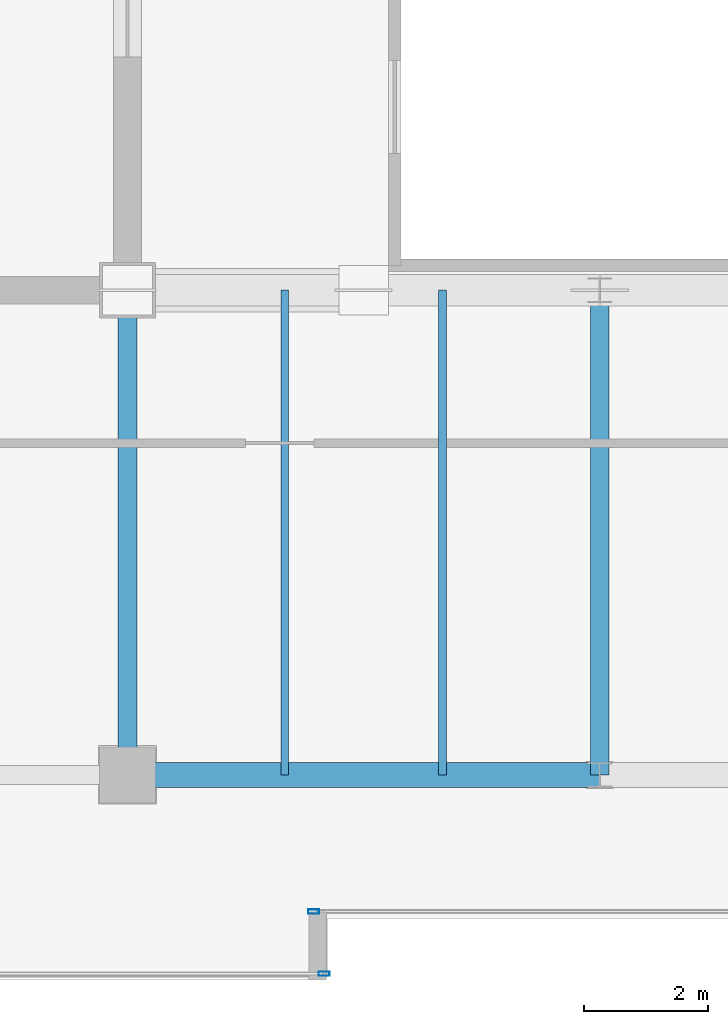
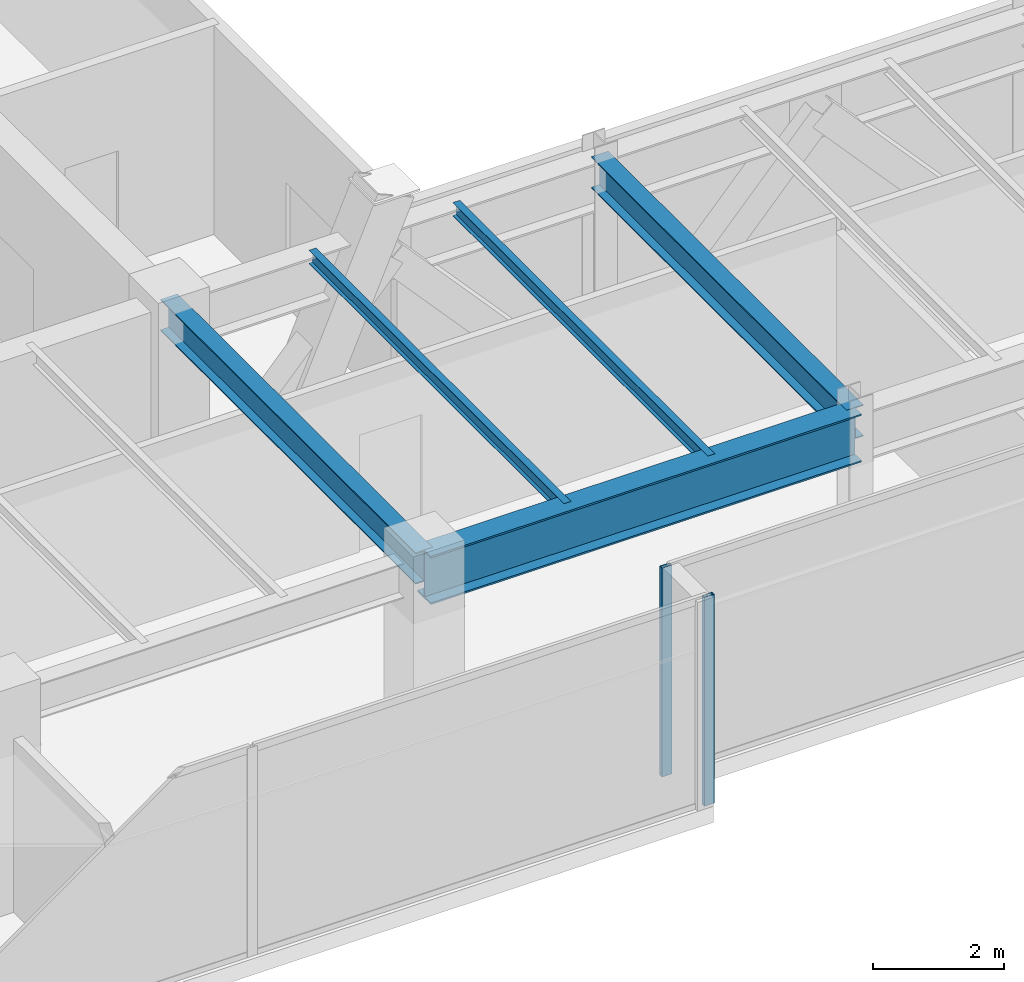
# One storey, part 6 of 32: 5 beams, 2 members, 2 elements without a shape of their own.
"""IFC4 building model written with IfcOpenShell, lengths in metres."""

from ifc_helpers import new_model, si_unit, direction, frame, origin, origin_2d, place, context, subcontext, project, spatial, hollow_rectangle, i_section, extrude, source, transform, mapped, material, layer, layer_set, material_profile, profile_set, type_object, type_shapes, element, aggregate, save


model = new_model("IFC4")

# Units and contexts
model_context = context("Model", 3, precision=1e-05, world=origin(), true_north=direction((0.0, 1.0)))
body_context = subcontext(model_context, "Body", "Model", "MODEL_VIEW")
ifc_project = project(units=[si_unit("LENGTHUNIT", "METRE"), si_unit("AREAUNIT", "SQUARE_METRE"), si_unit("VOLUMEUNIT", "CUBIC_METRE"), si_unit("PLANEANGLEUNIT", "RADIAN"), si_unit("MASSUNIT", "GRAM", prefix="KILO")], contexts=[model_context])

# Site, building, storey
site_placement = place(None, origin())
site = spatial("IfcSite", under=ifc_project, at=site_placement, CompositionType="ELEMENT")
building_placement = place(site_placement, origin())
building = spatial("IfcBuilding", under=site, at=building_placement, Name="Haelvirn Gate Laboratories", CompositionType="ELEMENT")
storey_placement = place(building_placement, frame((0.0, 0.0, 301.800048828125)))
storey = spatial("IfcBuildingStorey", under=building, at=storey_placement, Name="L72", CompositionType="ELEMENT", Elevation=301.800048828125)

# Beams
ifc_material_1 = material(Name="Steel SM420", Category="steel")
ifc_material_profile_1 = material_profile(ifc_material_1, i_section(OverallWidth=0.39990234375, OverallDepth=0.89990234375, WebThickness=0.01904296875, FlangeThickness=0.031982421875, at=origin_2d()), Name="H-900x400x19x32")
ifc_profile_set_1 = profile_set([ifc_material_profile_1], Name="Steel SM420")
beam_type_1 = type_object("IfcBeamType", Name="BM-TG-900", PredefinedType="BEAM", material=ifc_profile_set_1)
shared_shape_1 = source(origin(), body_context, "Body", "SweptSolid", [
    extrude(i_section(OverallWidth=0.39990234375, OverallDepth=0.89990234375, WebThickness=0.01904296875, FlangeThickness=0.031982421875, at=origin_2d()), origin(), (0.0, 0.0, 1.0), 7.60009765625),
])
type_shapes(beam_type_1, [shared_shape_1])
beam_placement = place(storey_placement, frame((22.199951171875, 7.0, 3.449951171875), z_axis=(1.0, 0.0, 0.0), x_axis=(0.0, 1.0, 0.0)))
element("IfcBeam", 1, at=beam_placement, inside=storey, type_object=beam_type_1, Name="L72 Primary Girder Y7.0 (22.2-29.8)", PredefinedType="BEAM", context=body_context, shape_type="MappedRepresentation", body=[
    mapped(shared_shape_1, transform((0.0, 0.0, 0.0), scale=1.0)),
])
ifc_material_2 = material(Name="Steel SM355", Category="steel")
ifc_material_profile_2 = material_profile(ifc_material_2, i_section(OverallWidth=0.300048828125, OverallDepth=0.587890625, WebThickness=0.011962890625, FlangeThickness=0.02001953125, at=origin_2d()), Name="H-588x300x12x20")
ifc_profile_set_2 = profile_set([ifc_material_profile_2], Name="Steel SM355")
beam_type_2 = type_object("IfcBeamType", Name="BM-G-588", PredefinedType="BEAM", material=ifc_profile_set_2)
shared_shape_2 = source(origin(), body_context, "Body", "SweptSolid", [
    extrude(i_section(OverallWidth=0.300048828125, OverallDepth=0.587890625, WebThickness=0.011962890625, FlangeThickness=0.02001953125, at=origin_2d()), origin(), (0.0, 0.0, 1.0), 7.800048828125),
])
type_shapes(beam_type_2, [shared_shape_2])
for number, where, z_axis, x_axis, name in (
    (2, (22.199951171875, 7.0, 3.60595703125), (0.0, 1.0, 0.0), (-1.0, 0.0, 0.0), "L72 Frame Girder X22.2 (7.0-14.8)"),
    (3, (29.800048828125, 7.0, 3.60595703125), (0.0, 1.0, 0.0), (-1.0, 0.0, 0.0), "L72 Frame Girder X29.8 (7.0-14.8)"),
):
    element("IfcBeam", number, at=place(storey_placement, frame(where, z_axis=z_axis, x_axis=x_axis)), inside=storey, type_object=beam_type_2, Name=name, PredefinedType="BEAM", context=body_context, shape_type="MappedRepresentation", body=[
        mapped(shared_shape_2, transform((0.0, 0.0, 0.0), scale=1.0)),
    ])
ifc_material_profile_3 = material_profile(ifc_material_2, i_section(OverallWidth=0.125, OverallDepth=0.25, WebThickness=0.006103515625, FlangeThickness=0.009033203125, at=origin_2d()), Name="H-250x125x6x9")
ifc_profile_set_3 = profile_set([ifc_material_profile_3], Name="Steel SM355")
beam_type_3 = type_object("IfcBeamType", Name="BM-J-250", PredefinedType="JOIST", material=ifc_profile_set_3)
shared_shape_3 = source(origin(), body_context, "Body", "SweptSolid", [
    extrude(i_section(OverallWidth=0.125, OverallDepth=0.25, WebThickness=0.006103515625, FlangeThickness=0.009033203125, at=origin_2d()), origin(), (0.0, 0.0, 1.0), 7.800048828125),
])
type_shapes(beam_type_3, [shared_shape_3])
for number, where, z_axis, x_axis, name in (
    (4, (24.72998046875, 7.0, 3.77490234375), (0.0, 1.0, 0.0), (-1.0, 0.0, 0.0), "L72 Composite Lab Joist South X24.73"),
    (5, (27.27001953125, 7.0, 3.77490234375), (0.0, 1.0, 0.0), (-1.0, 0.0, 0.0), "L72 Composite Lab Joist South X27.27"),
):
    element("IfcBeam", number, at=place(storey_placement, frame(where, z_axis=z_axis, x_axis=x_axis)), inside=storey, type_object=beam_type_3, Name=name, PredefinedType="JOIST", context=body_context, shape_type="MappedRepresentation", body=[
        mapped(shared_shape_3, transform((0.0, 0.0, 0.0), scale=1.0)),
    ])

# Curtain wall, member
ifc_material_3 = material(Name="Anodised bronze unitised aluminium & triple low-E glass", Category="aluminium")
ifc_layer = layer(ifc_material_3, 0.176025390625, Name="CW-SYS-4")
ifc_layer_set = layer_set([ifc_layer], Name="Anodised bronze unitised aluminium & triple low-E glass")
curtain_wall_type = type_object("IfcCurtainWallType", Name="CW-SYS-4", PredefinedType="NOTDEFINED", material=ifc_layer_set)
curtain_wall_1_placement = place(storey_placement, origin())
curtain_wall_1 = element("IfcCurtainWall", 6, at=curtain_wall_1_placement, inside=storey, type_object=curtain_wall_type, Name="L72 Unitised Curtain Wall CW-L72-P0-E00-1", PredefinedType="NOTDEFINED")
ifc_material_4 = material(Name="Extruded aluminium 6063-T6 (anodised bronze)", Category="aluminium")
ifc_material_profile_4 = material_profile(ifc_material_4, hollow_rectangle(XDim=0.070068359375, YDim=0.179931640625, WallThickness=0.0048828125, at=origin_2d()), Name="CWM-180x70x5")
ifc_profile_set_4 = profile_set([ifc_material_profile_4], Name="Extruded aluminium 6063-T6 (anodised bronze)")
member_type = type_object("IfcMemberType", Name="CWM-T180", PredefinedType="MULLION", material=ifc_profile_set_4)
shared_shape_4 = source(origin(), body_context, "Body", "SweptSolid", [
    extrude(hollow_rectangle(XDim=0.070068359375, YDim=0.179931640625, WallThickness=0.0048828125, at=origin_2d()), origin(), (0.0, 0.0, 1.0), 3.89990234375),
])
type_shapes(member_type, [shared_shape_4])
member_1_placement = place(storey_placement, frame((25.364990234375, 3.800048828125, 0.0), z_axis=(0.0, 0.0, 1.0), x_axis=(0.0, 1.0, 0.0)))
member_1 = element("IfcMember", 7, at=member_1_placement, type_object=member_type, Name="CW4 mullion 3", PredefinedType="MULLION", context=body_context, shape_type="MappedRepresentation", body=[
    mapped(shared_shape_4, transform((0.0, 0.0, 0.0), scale=1.0)),
])
aggregate(curtain_wall_1, [member_1])

curtain_wall_2_placement = place(storey_placement, origin())
curtain_wall_2 = element("IfcCurtainWall", 8, at=curtain_wall_2_placement, inside=storey, type_object=curtain_wall_type, Name="L72 Unitised Curtain Wall CW-L72-P0-E02-1", PredefinedType="NOTDEFINED")
member_2_placement = place(storey_placement, frame((25.195068359375, 4.800048828125, 0.0), z_axis=(0.0, 0.0, 1.0), x_axis=(0.0, 1.0, 0.0)))
member_2 = element("IfcMember", 9, at=member_2_placement, type_object=member_type, Name="CW4 mullion 1", PredefinedType="MULLION", context=body_context, shape_type="MappedRepresentation", body=[
    mapped(shared_shape_4, transform((0.0, 0.0, 0.0), scale=1.0)),
])
aggregate(curtain_wall_2, [member_2])

save(model, "model.ifc")
